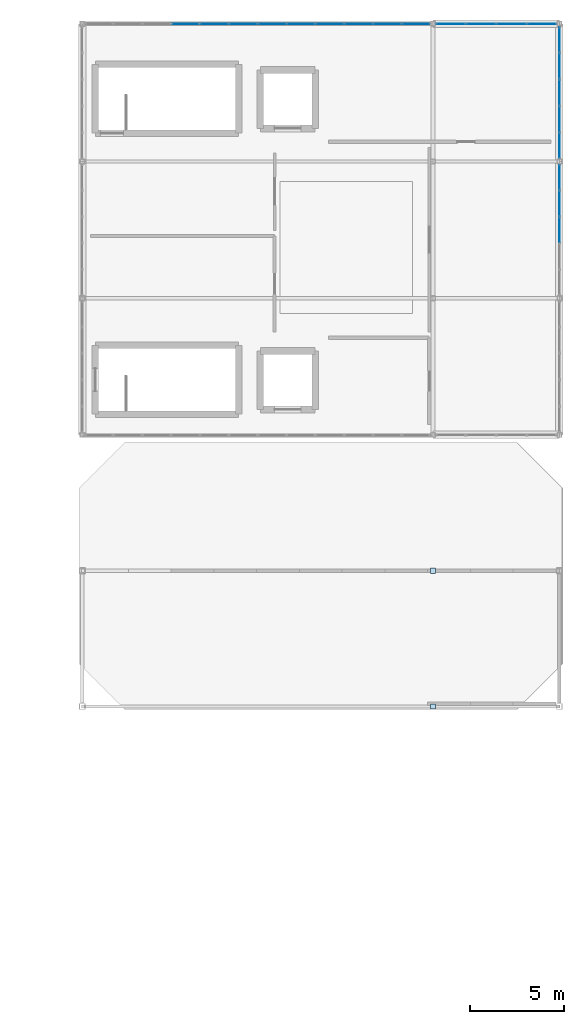
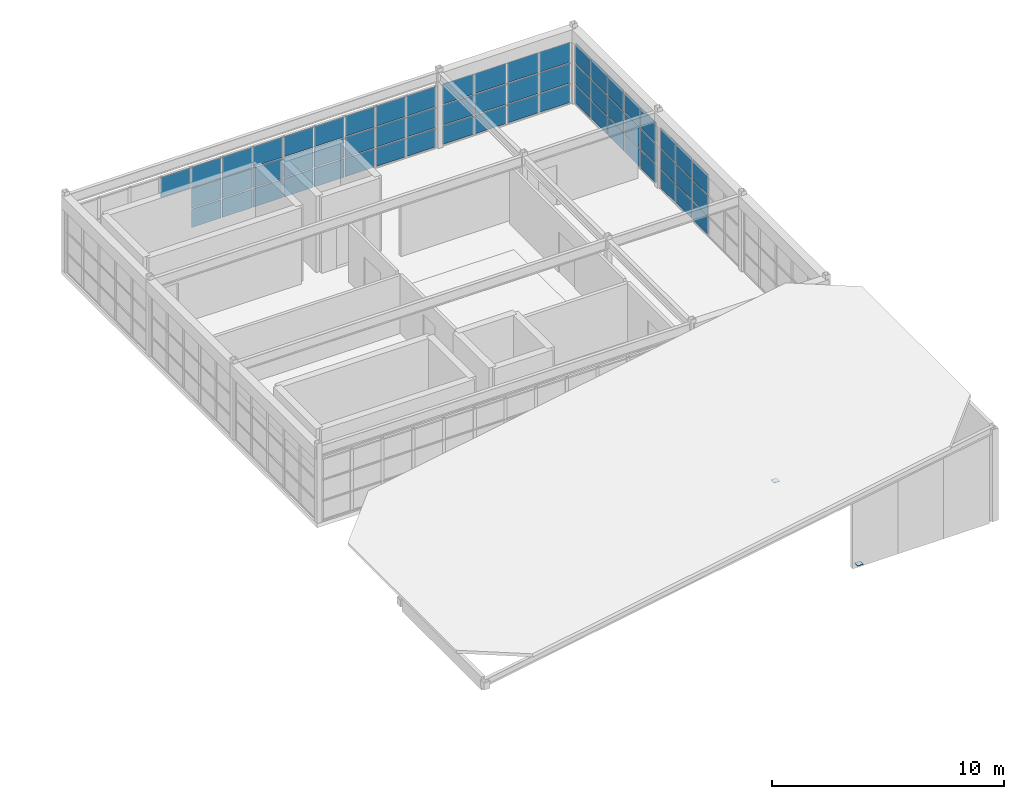
# One storey, part 16 of 19: 63 plates, 4 elements without a shape of their own.
"""IFC4 building model written with IfcOpenShell, lengths in metres."""

from ifc_helpers import new_model, si_unit, direction, frame, origin, origin_2d, place, context, subcontext, project, spatial, rectangle, extrude, material, layer, layer_set, type_object, element, aggregate, save


model = new_model("IFC4")

# Units and contexts
model_context = context("Model", 3, precision=1e-05, world=origin(), true_north=direction((0.0, 1.0)))
body_context = subcontext(model_context, "Body", "Model", "MODEL_VIEW")
ifc_project = project(units=[si_unit("LENGTHUNIT", "METRE"), si_unit("AREAUNIT", "SQUARE_METRE"), si_unit("VOLUMEUNIT", "CUBIC_METRE"), si_unit("PLANEANGLEUNIT", "RADIAN"), si_unit("MASSUNIT", "GRAM", prefix="KILO")], contexts=[model_context])

# Site, building, storey
site_placement = place(None, origin())
site = spatial("IfcSite", under=ifc_project, at=site_placement, CompositionType="ELEMENT")
building_placement = place(site_placement, origin())
building = spatial("IfcBuilding", under=site, at=building_placement, Name="Candilejo Ridge Gondola Terminal", CompositionType="ELEMENT")
storey_placement = place(building_placement, frame((0.0, 0.0, 22.800048828125)))
storey = spatial("IfcBuildingStorey", under=building, at=storey_placement, Name="L05", CompositionType="ELEMENT", Elevation=22.800048828125)

# Curtain wall, plates
ifc_material_1 = material(Name="Anodised aluminium AA 6063-T6", Category="aluminium")
ifc_layer_1 = layer(ifc_material_1, 0.169921875)
ifc_layer_set_1 = layer_set([ifc_layer_1], Name="ARC-CW-TOWER-3000-700X329")
curtain_wall_type_1 = type_object("IfcCurtainWallType", Name="ARC-CW-TOWER-3000-700X329", PredefinedType="NOTDEFINED", material=ifc_layer_set_1)
curtain_wall_1_placement = place(storey_placement, origin())
curtain_wall_1 = element("IfcCurtainWall", 1, at=curtain_wall_1_placement, inside=storey, type_object=curtain_wall_type_1, Name="Curtain wall V5 L05-229", PredefinedType="NOTDEFINED")
ifc_material_2 = material(Name="Low-E laminated double glazing 6+12A+6+1.52PVB+6 mm", Category="glass")
ifc_layer_2 = layer(ifc_material_2, 0.028076171875)
ifc_layer_set_2 = layer_set([ifc_layer_2], Name="ARC-CW-GLAZ-PANEL")
plate_type_1 = type_object("IfcPlateType", Name="ARC-CW-GLAZ-PANEL", PredefinedType="CURTAIN_PANEL", material=ifc_layer_set_2)
plate_1_placement = place(storey_placement, frame((175.300048828125, 109.925048828125, 0.06005859375), z_axis=(0.0, 0.0, 1.0), x_axis=(0.0, 1.0, 0.0)))
plate_1 = element("IfcPlate", 2, at=plate_1_placement, type_object=plate_type_1, Name="CW-70X32 panel 3.1", PredefinedType="CURTAIN_PANEL", context=body_context, shape_type="SweptSolid", body=[
    extrude(rectangle(XDim=1.3349609375, YDim=0.028076171875, at=origin_2d()), origin(), (0.0, 0.0, 1.0), 0.9599609375),
])
plate_2_placement = place(storey_placement, frame((175.300048828125, 109.925048828125, 1.079833984375), z_axis=(0.0, 0.0, 1.0), x_axis=(0.0, 1.0, 0.0)))
plate_2 = element("IfcPlate", 3, at=plate_2_placement, type_object=plate_type_1, Name="CW-70X32 panel 3.2", PredefinedType="CURTAIN_PANEL", context=body_context, shape_type="SweptSolid", body=[
    extrude(rectangle(XDim=1.3349609375, YDim=0.028076171875, at=origin_2d()), origin(), (0.0, 0.0, 1.0), 1.0400390625),
])
plate_3_placement = place(storey_placement, frame((175.300048828125, 109.925048828125, 2.1796875), z_axis=(0.0, 0.0, 1.0), x_axis=(0.0, 1.0, 0.0)))
plate_3 = element("IfcPlate", 4, at=plate_3_placement, type_object=plate_type_1, Name="CW-70X32 panel 3.3", PredefinedType="CURTAIN_PANEL", context=body_context, shape_type="SweptSolid", body=[
    extrude(rectangle(XDim=1.3349609375, YDim=0.028076171875, at=origin_2d()), origin(), (0.0, 0.0, 1.0), 1.050048828125),
])
plate_4_placement = place(storey_placement, frame((175.300048828125, 111.324951171875, 0.06005859375), z_axis=(0.0, 0.0, 1.0), x_axis=(0.0, 1.0, 0.0)))
plate_4 = element("IfcPlate", 5, at=plate_4_placement, type_object=plate_type_1, Name="CW-70X32 panel 4.1", PredefinedType="CURTAIN_PANEL", context=body_context, shape_type="SweptSolid", body=[
    extrude(rectangle(XDim=1.3349609375, YDim=0.028076171875, at=origin_2d()), origin(), (0.0, 0.0, 1.0), 0.9599609375),
])
plate_5_placement = place(storey_placement, frame((175.300048828125, 111.324951171875, 1.079833984375), z_axis=(0.0, 0.0, 1.0), x_axis=(0.0, 1.0, 0.0)))
plate_5 = element("IfcPlate", 6, at=plate_5_placement, type_object=plate_type_1, Name="CW-70X32 panel 4.2", PredefinedType="CURTAIN_PANEL", context=body_context, shape_type="SweptSolid", body=[
    extrude(rectangle(XDim=1.3349609375, YDim=0.028076171875, at=origin_2d()), origin(), (0.0, 0.0, 1.0), 1.0400390625),
])
plate_6_placement = place(storey_placement, frame((175.300048828125, 111.324951171875, 2.1796875), z_axis=(0.0, 0.0, 1.0), x_axis=(0.0, 1.0, 0.0)))
plate_6 = element("IfcPlate", 7, at=plate_6_placement, type_object=plate_type_1, Name="CW-70X32 panel 4.3", PredefinedType="CURTAIN_PANEL", context=body_context, shape_type="SweptSolid", body=[
    extrude(rectangle(XDim=1.3349609375, YDim=0.028076171875, at=origin_2d()), origin(), (0.0, 0.0, 1.0), 1.050048828125),
])
plate_7_placement = place(storey_placement, frame((175.300048828125, 112.708740234375, 0.06005859375), z_axis=(0.0, 0.0, 1.0), x_axis=(0.0, 1.0, 0.0)))
plate_7 = element("IfcPlate", 8, at=plate_7_placement, type_object=plate_type_1, Name="CW-70X32 panel 5.1", PredefinedType="CURTAIN_PANEL", context=body_context, shape_type="SweptSolid", body=[
    extrude(rectangle(XDim=1.302490234375, YDim=0.028076171875, at=origin_2d()), origin(), (0.0, 0.0, 1.0), 0.9599609375),
])
plate_8_placement = place(storey_placement, frame((175.300048828125, 112.708740234375, 1.079833984375), z_axis=(0.0, 0.0, 1.0), x_axis=(0.0, 1.0, 0.0)))
plate_8 = element("IfcPlate", 9, at=plate_8_placement, type_object=plate_type_1, Name="CW-70X32 panel 5.2", PredefinedType="CURTAIN_PANEL", context=body_context, shape_type="SweptSolid", body=[
    extrude(rectangle(XDim=1.302490234375, YDim=0.028076171875, at=origin_2d()), origin(), (0.0, 0.0, 1.0), 1.0400390625),
])
plate_9_placement = place(storey_placement, frame((175.300048828125, 112.708740234375, 2.1796875), z_axis=(0.0, 0.0, 1.0), x_axis=(0.0, 1.0, 0.0)))
plate_9 = element("IfcPlate", 10, at=plate_9_placement, type_object=plate_type_1, Name="CW-70X32 panel 5.3", PredefinedType="CURTAIN_PANEL", context=body_context, shape_type="SweptSolid", body=[
    extrude(rectangle(XDim=1.302490234375, YDim=0.028076171875, at=origin_2d()), origin(), (0.0, 0.0, 1.0), 1.050048828125),
])
aggregate(curtain_wall_1, [plate_1, plate_2, plate_3, plate_4, plate_5, plate_6, plate_7, plate_8, plate_9])

ifc_material_3 = material(Name="Anodised aluminium AA 6063-T6", Category="aluminium")
ifc_layer_3 = layer(ifc_material_3, 0.169921875)
ifc_layer_set_3 = layer_set([ifc_layer_3], Name="ARC-CW-TOWER-3000-705X329")
curtain_wall_type_2 = type_object("IfcCurtainWallType", Name="ARC-CW-TOWER-3000-705X329", PredefinedType="NOTDEFINED", material=ifc_layer_set_3)
curtain_wall_2_placement = place(storey_placement, origin())
curtain_wall_2 = element("IfcCurtainWall", 11, at=curtain_wall_2_placement, inside=storey, type_object=curtain_wall_type_2, Name="Curtain wall V5 L05-231", PredefinedType="NOTDEFINED")
plate_10_placement = place(storey_placement, frame((175.300048828125, 114.396240234375, 0.06005859375), z_axis=(0.0, 0.0, 1.0), x_axis=(0.0, 1.0, 0.0)))
plate_10 = element("IfcPlate", 12, at=plate_10_placement, type_object=plate_type_1, Name="CW-70X32 panel 1.1", PredefinedType="CURTAIN_PANEL", context=body_context, shape_type="SweptSolid", body=[
    extrude(rectangle(XDim=1.3125, YDim=0.028076171875, at=origin_2d()), origin(), (0.0, 0.0, 1.0), 0.9599609375),
])
plate_11_placement = place(storey_placement, frame((175.300048828125, 114.396240234375, 1.079833984375), z_axis=(0.0, 0.0, 1.0), x_axis=(0.0, 1.0, 0.0)))
plate_11 = element("IfcPlate", 13, at=plate_11_placement, type_object=plate_type_1, Name="CW-70X32 panel 1.2", PredefinedType="CURTAIN_PANEL", context=body_context, shape_type="SweptSolid", body=[
    extrude(rectangle(XDim=1.3125, YDim=0.028076171875, at=origin_2d()), origin(), (0.0, 0.0, 1.0), 1.0400390625),
])
plate_12_placement = place(storey_placement, frame((175.300048828125, 114.396240234375, 2.1796875), z_axis=(0.0, 0.0, 1.0), x_axis=(0.0, 1.0, 0.0)))
plate_12 = element("IfcPlate", 14, at=plate_12_placement, type_object=plate_type_1, Name="CW-70X32 panel 1.3", PredefinedType="CURTAIN_PANEL", context=body_context, shape_type="SweptSolid", body=[
    extrude(rectangle(XDim=1.3125, YDim=0.028076171875, at=origin_2d()), origin(), (0.0, 0.0, 1.0), 1.050048828125),
])
plate_13_placement = place(storey_placement, frame((175.300048828125, 115.7900390625, 0.06005859375), z_axis=(0.0, 0.0, 1.0), x_axis=(0.0, 1.0, 0.0)))
plate_13 = element("IfcPlate", 15, at=plate_13_placement, type_object=plate_type_1, Name="CW-70X32 panel 2.1", PredefinedType="CURTAIN_PANEL", context=body_context, shape_type="SweptSolid", body=[
    extrude(rectangle(XDim=1.344970703125, YDim=0.028076171875, at=origin_2d()), origin(), (0.0, 0.0, 1.0), 0.9599609375),
])
plate_14_placement = place(storey_placement, frame((175.300048828125, 115.7900390625, 1.079833984375), z_axis=(0.0, 0.0, 1.0), x_axis=(0.0, 1.0, 0.0)))
plate_14 = element("IfcPlate", 16, at=plate_14_placement, type_object=plate_type_1, Name="CW-70X32 panel 2.2", PredefinedType="CURTAIN_PANEL", context=body_context, shape_type="SweptSolid", body=[
    extrude(rectangle(XDim=1.344970703125, YDim=0.028076171875, at=origin_2d()), origin(), (0.0, 0.0, 1.0), 1.0400390625),
])
plate_15_placement = place(storey_placement, frame((175.300048828125, 115.7900390625, 2.1796875), z_axis=(0.0, 0.0, 1.0), x_axis=(0.0, 1.0, 0.0)))
plate_15 = element("IfcPlate", 17, at=plate_15_placement, type_object=plate_type_1, Name="CW-70X32 panel 2.3", PredefinedType="CURTAIN_PANEL", context=body_context, shape_type="SweptSolid", body=[
    extrude(rectangle(XDim=1.344970703125, YDim=0.028076171875, at=origin_2d()), origin(), (0.0, 0.0, 1.0), 1.050048828125),
])
plate_16_placement = place(storey_placement, frame((175.300048828125, 117.199951171875, 0.06005859375), z_axis=(0.0, 0.0, 1.0), x_axis=(0.0, 1.0, 0.0)))
plate_16 = element("IfcPlate", 18, at=plate_16_placement, type_object=plate_type_1, Name="CW-70X32 panel 3.1", PredefinedType="CURTAIN_PANEL", context=body_context, shape_type="SweptSolid", body=[
    extrude(rectangle(XDim=1.344970703125, YDim=0.028076171875, at=origin_2d()), origin(), (0.0, 0.0, 1.0), 0.9599609375),
])
plate_17_placement = place(storey_placement, frame((175.300048828125, 117.199951171875, 1.079833984375), z_axis=(0.0, 0.0, 1.0), x_axis=(0.0, 1.0, 0.0)))
plate_17 = element("IfcPlate", 19, at=plate_17_placement, type_object=plate_type_1, Name="CW-70X32 panel 3.2", PredefinedType="CURTAIN_PANEL", context=body_context, shape_type="SweptSolid", body=[
    extrude(rectangle(XDim=1.344970703125, YDim=0.028076171875, at=origin_2d()), origin(), (0.0, 0.0, 1.0), 1.0400390625),
])
plate_18_placement = place(storey_placement, frame((175.300048828125, 117.199951171875, 2.1796875), z_axis=(0.0, 0.0, 1.0), x_axis=(0.0, 1.0, 0.0)))
plate_18 = element("IfcPlate", 20, at=plate_18_placement, type_object=plate_type_1, Name="CW-70X32 panel 3.3", PredefinedType="CURTAIN_PANEL", context=body_context, shape_type="SweptSolid", body=[
    extrude(rectangle(XDim=1.344970703125, YDim=0.028076171875, at=origin_2d()), origin(), (0.0, 0.0, 1.0), 1.050048828125),
])
plate_19_placement = place(storey_placement, frame((175.300048828125, 118.610107421875, 0.06005859375), z_axis=(0.0, 0.0, 1.0), x_axis=(0.0, 1.0, 0.0)))
plate_19 = element("IfcPlate", 21, at=plate_19_placement, type_object=plate_type_1, Name="CW-70X32 panel 4.1", PredefinedType="CURTAIN_PANEL", context=body_context, shape_type="SweptSolid", body=[
    extrude(rectangle(XDim=1.344970703125, YDim=0.028076171875, at=origin_2d()), origin(), (0.0, 0.0, 1.0), 0.9599609375),
])
plate_20_placement = place(storey_placement, frame((175.300048828125, 118.610107421875, 1.079833984375), z_axis=(0.0, 0.0, 1.0), x_axis=(0.0, 1.0, 0.0)))
plate_20 = element("IfcPlate", 22, at=plate_20_placement, type_object=plate_type_1, Name="CW-70X32 panel 4.2", PredefinedType="CURTAIN_PANEL", context=body_context, shape_type="SweptSolid", body=[
    extrude(rectangle(XDim=1.344970703125, YDim=0.028076171875, at=origin_2d()), origin(), (0.0, 0.0, 1.0), 1.0400390625),
])
plate_21_placement = place(storey_placement, frame((175.300048828125, 118.610107421875, 2.1796875), z_axis=(0.0, 0.0, 1.0), x_axis=(0.0, 1.0, 0.0)))
plate_21 = element("IfcPlate", 23, at=plate_21_placement, type_object=plate_type_1, Name="CW-70X32 panel 4.3", PredefinedType="CURTAIN_PANEL", context=body_context, shape_type="SweptSolid", body=[
    extrude(rectangle(XDim=1.344970703125, YDim=0.028076171875, at=origin_2d()), origin(), (0.0, 0.0, 1.0), 1.050048828125),
])
plate_22_placement = place(storey_placement, frame((175.300048828125, 120.003662109375, 0.06005859375), z_axis=(0.0, 0.0, 1.0), x_axis=(0.0, 1.0, 0.0)))
plate_22 = element("IfcPlate", 24, at=plate_22_placement, type_object=plate_type_1, Name="CW-70X32 panel 5.1", PredefinedType="CURTAIN_PANEL", context=body_context, shape_type="SweptSolid", body=[
    extrude(rectangle(XDim=1.3125, YDim=0.028076171875, at=origin_2d()), origin(), (0.0, 0.0, 1.0), 0.9599609375),
])
plate_23_placement = place(storey_placement, frame((175.300048828125, 120.003662109375, 1.079833984375), z_axis=(0.0, 0.0, 1.0), x_axis=(0.0, 1.0, 0.0)))
plate_23 = element("IfcPlate", 25, at=plate_23_placement, type_object=plate_type_1, Name="CW-70X32 panel 5.2", PredefinedType="CURTAIN_PANEL", context=body_context, shape_type="SweptSolid", body=[
    extrude(rectangle(XDim=1.3125, YDim=0.028076171875, at=origin_2d()), origin(), (0.0, 0.0, 1.0), 1.0400390625),
])
plate_24_placement = place(storey_placement, frame((175.300048828125, 120.003662109375, 2.1796875), z_axis=(0.0, 0.0, 1.0), x_axis=(0.0, 1.0, 0.0)))
plate_24 = element("IfcPlate", 26, at=plate_24_placement, type_object=plate_type_1, Name="CW-70X32 panel 5.3", PredefinedType="CURTAIN_PANEL", context=body_context, shape_type="SweptSolid", body=[
    extrude(rectangle(XDim=1.3125, YDim=0.028076171875, at=origin_2d()), origin(), (0.0, 0.0, 1.0), 1.050048828125),
])
aggregate(curtain_wall_2, [plate_10, plate_11, plate_12, plate_13, plate_14, plate_15, plate_16, plate_17, plate_18, plate_19, plate_20, plate_21, plate_22, plate_23, plate_24])

ifc_material_4 = material(Name="Anodised aluminium AA 6063-T6", Category="aluminium")
ifc_layer_4 = layer(ifc_material_4, 0.169921875)
ifc_layer_set_4 = layer_set([ifc_layer_4], Name="ARC-CW-TOWER-3000-1835X329")
curtain_wall_type_3 = type_object("IfcCurtainWallType", Name="ARC-CW-TOWER-3000-1835X329", PredefinedType="NOTDEFINED", material=ifc_layer_set_4)
curtain_wall_3_placement = place(storey_placement, origin())
curtain_wall_3 = element("IfcCurtainWall", 27, at=curtain_wall_3_placement, inside=storey, type_object=curtain_wall_type_3, Name="Curtain wall V5 L05-233", PredefinedType="NOTDEFINED")
plate_25_placement = place(storey_placement, frame((155.47705078125, 120.85009765625, 2.1796875), z_axis=(0.0, 0.0, 1.0), x_axis=(1.0, 0.0, 0.0)))
plate_25 = element("IfcPlate", 28, at=plate_25_placement, type_object=plate_type_1, Name="CW-183X32 panel 4.3", PredefinedType="CURTAIN_PANEL", context=body_context, shape_type="SweptSolid", body=[
    extrude(rectangle(XDim=1.464111328125, YDim=0.028076171875, at=origin_2d()), origin(), (0.0, 0.0, 1.0), 1.050048828125),
])
plate_26_placement = place(storey_placement, frame((157.00634765625, 120.85009765625, 0.06005859375), z_axis=(0.0, 0.0, 1.0), x_axis=(1.0, 0.0, 0.0)))
plate_26 = element("IfcPlate", 29, at=plate_26_placement, type_object=plate_type_1, Name="CW-183X32 panel 5.1", PredefinedType="CURTAIN_PANEL", context=body_context, shape_type="SweptSolid", body=[
    extrude(rectangle(XDim=1.464111328125, YDim=0.028076171875, at=origin_2d()), origin(), (0.0, 0.0, 1.0), 0.9599609375),
])
plate_27_placement = place(storey_placement, frame((157.00634765625, 120.85009765625, 1.079833984375), z_axis=(0.0, 0.0, 1.0), x_axis=(1.0, 0.0, 0.0)))
plate_27 = element("IfcPlate", 30, at=plate_27_placement, type_object=plate_type_1, Name="CW-183X32 panel 5.2", PredefinedType="CURTAIN_PANEL", context=body_context, shape_type="SweptSolid", body=[
    extrude(rectangle(XDim=1.464111328125, YDim=0.028076171875, at=origin_2d()), origin(), (0.0, 0.0, 1.0), 1.0400390625),
])
plate_28_placement = place(storey_placement, frame((157.00634765625, 120.85009765625, 2.1796875), z_axis=(0.0, 0.0, 1.0), x_axis=(1.0, 0.0, 0.0)))
plate_28 = element("IfcPlate", 31, at=plate_28_placement, type_object=plate_type_1, Name="CW-183X32 panel 5.3", PredefinedType="CURTAIN_PANEL", context=body_context, shape_type="SweptSolid", body=[
    extrude(rectangle(XDim=1.464111328125, YDim=0.028076171875, at=origin_2d()), origin(), (0.0, 0.0, 1.0), 1.050048828125),
])
plate_29_placement = place(storey_placement, frame((158.535400390625, 120.85009765625, 0.06005859375), z_axis=(0.0, 0.0, 1.0), x_axis=(1.0, 0.0, 0.0)))
plate_29 = element("IfcPlate", 32, at=plate_29_placement, type_object=plate_type_1, Name="CW-183X32 panel 6.1", PredefinedType="CURTAIN_PANEL", context=body_context, shape_type="SweptSolid", body=[
    extrude(rectangle(XDim=1.464111328125, YDim=0.028076171875, at=origin_2d()), origin(), (0.0, 0.0, 1.0), 0.9599609375),
])
plate_30_placement = place(storey_placement, frame((158.535400390625, 120.85009765625, 1.079833984375), z_axis=(0.0, 0.0, 1.0), x_axis=(1.0, 0.0, 0.0)))
plate_30 = element("IfcPlate", 33, at=plate_30_placement, type_object=plate_type_1, Name="CW-183X32 panel 6.2", PredefinedType="CURTAIN_PANEL", context=body_context, shape_type="SweptSolid", body=[
    extrude(rectangle(XDim=1.464111328125, YDim=0.028076171875, at=origin_2d()), origin(), (0.0, 0.0, 1.0), 1.0400390625),
])
plate_31_placement = place(storey_placement, frame((158.535400390625, 120.85009765625, 2.1796875), z_axis=(0.0, 0.0, 1.0), x_axis=(1.0, 0.0, 0.0)))
plate_31 = element("IfcPlate", 34, at=plate_31_placement, type_object=plate_type_1, Name="CW-183X32 panel 6.3", PredefinedType="CURTAIN_PANEL", context=body_context, shape_type="SweptSolid", body=[
    extrude(rectangle(XDim=1.464111328125, YDim=0.028076171875, at=origin_2d()), origin(), (0.0, 0.0, 1.0), 1.050048828125),
])
plate_32_placement = place(storey_placement, frame((160.064697265625, 120.85009765625, 0.06005859375), z_axis=(0.0, 0.0, 1.0), x_axis=(1.0, 0.0, 0.0)))
plate_32 = element("IfcPlate", 35, at=plate_32_placement, type_object=plate_type_1, Name="CW-183X32 panel 7.1", PredefinedType="CURTAIN_PANEL", context=body_context, shape_type="SweptSolid", body=[
    extrude(rectangle(XDim=1.464111328125, YDim=0.028076171875, at=origin_2d()), origin(), (0.0, 0.0, 1.0), 0.9599609375),
])
plate_33_placement = place(storey_placement, frame((160.064697265625, 120.85009765625, 1.079833984375), z_axis=(0.0, 0.0, 1.0), x_axis=(1.0, 0.0, 0.0)))
plate_33 = element("IfcPlate", 36, at=plate_33_placement, type_object=plate_type_1, Name="CW-183X32 panel 7.2", PredefinedType="CURTAIN_PANEL", context=body_context, shape_type="SweptSolid", body=[
    extrude(rectangle(XDim=1.464111328125, YDim=0.028076171875, at=origin_2d()), origin(), (0.0, 0.0, 1.0), 1.0400390625),
])
plate_34_placement = place(storey_placement, frame((160.064697265625, 120.85009765625, 2.1796875), z_axis=(0.0, 0.0, 1.0), x_axis=(1.0, 0.0, 0.0)))
plate_34 = element("IfcPlate", 37, at=plate_34_placement, type_object=plate_type_1, Name="CW-183X32 panel 7.3", PredefinedType="CURTAIN_PANEL", context=body_context, shape_type="SweptSolid", body=[
    extrude(rectangle(XDim=1.464111328125, YDim=0.028076171875, at=origin_2d()), origin(), (0.0, 0.0, 1.0), 1.050048828125),
])
plate_35_placement = place(storey_placement, frame((161.59375, 120.85009765625, 0.06005859375), z_axis=(0.0, 0.0, 1.0), x_axis=(1.0, 0.0, 0.0)))
plate_35 = element("IfcPlate", 38, at=plate_35_placement, type_object=plate_type_1, Name="CW-183X32 panel 8.1", PredefinedType="CURTAIN_PANEL", context=body_context, shape_type="SweptSolid", body=[
    extrude(rectangle(XDim=1.464111328125, YDim=0.028076171875, at=origin_2d()), origin(), (0.0, 0.0, 1.0), 0.9599609375),
])
plate_36_placement = place(storey_placement, frame((161.59375, 120.85009765625, 1.079833984375), z_axis=(0.0, 0.0, 1.0), x_axis=(1.0, 0.0, 0.0)))
plate_36 = element("IfcPlate", 39, at=plate_36_placement, type_object=plate_type_1, Name="CW-183X32 panel 8.2", PredefinedType="CURTAIN_PANEL", context=body_context, shape_type="SweptSolid", body=[
    extrude(rectangle(XDim=1.464111328125, YDim=0.028076171875, at=origin_2d()), origin(), (0.0, 0.0, 1.0), 1.0400390625),
])
plate_37_placement = place(storey_placement, frame((161.59375, 120.85009765625, 2.1796875), z_axis=(0.0, 0.0, 1.0), x_axis=(1.0, 0.0, 0.0)))
plate_37 = element("IfcPlate", 40, at=plate_37_placement, type_object=plate_type_1, Name="CW-183X32 panel 8.3", PredefinedType="CURTAIN_PANEL", context=body_context, shape_type="SweptSolid", body=[
    extrude(rectangle(XDim=1.464111328125, YDim=0.028076171875, at=origin_2d()), origin(), (0.0, 0.0, 1.0), 1.050048828125),
])
plate_38_placement = place(storey_placement, frame((163.122802734375, 120.85009765625, 0.06005859375), z_axis=(0.0, 0.0, 1.0), x_axis=(1.0, 0.0, 0.0)))
plate_38 = element("IfcPlate", 41, at=plate_38_placement, type_object=plate_type_1, Name="CW-183X32 panel 9.1", PredefinedType="CURTAIN_PANEL", context=body_context, shape_type="SweptSolid", body=[
    extrude(rectangle(XDim=1.464111328125, YDim=0.028076171875, at=origin_2d()), origin(), (0.0, 0.0, 1.0), 0.9599609375),
])
plate_39_placement = place(storey_placement, frame((163.122802734375, 120.85009765625, 1.079833984375), z_axis=(0.0, 0.0, 1.0), x_axis=(1.0, 0.0, 0.0)))
plate_39 = element("IfcPlate", 42, at=plate_39_placement, type_object=plate_type_1, Name="CW-183X32 panel 9.2", PredefinedType="CURTAIN_PANEL", context=body_context, shape_type="SweptSolid", body=[
    extrude(rectangle(XDim=1.464111328125, YDim=0.028076171875, at=origin_2d()), origin(), (0.0, 0.0, 1.0), 1.0400390625),
])
plate_40_placement = place(storey_placement, frame((163.122802734375, 120.85009765625, 2.1796875), z_axis=(0.0, 0.0, 1.0), x_axis=(1.0, 0.0, 0.0)))
plate_40 = element("IfcPlate", 43, at=plate_40_placement, type_object=plate_type_1, Name="CW-183X32 panel 9.3", PredefinedType="CURTAIN_PANEL", context=body_context, shape_type="SweptSolid", body=[
    extrude(rectangle(XDim=1.464111328125, YDim=0.028076171875, at=origin_2d()), origin(), (0.0, 0.0, 1.0), 1.050048828125),
])
plate_41_placement = place(storey_placement, frame((164.652099609375, 120.85009765625, 0.06005859375), z_axis=(0.0, 0.0, 1.0), x_axis=(1.0, 0.0, 0.0)))
plate_41 = element("IfcPlate", 44, at=plate_41_placement, type_object=plate_type_1, Name="CW-183X32 panel 10.1", PredefinedType="CURTAIN_PANEL", context=body_context, shape_type="SweptSolid", body=[
    extrude(rectangle(XDim=1.464111328125, YDim=0.028076171875, at=origin_2d()), origin(), (0.0, 0.0, 1.0), 0.9599609375),
])
plate_42_placement = place(storey_placement, frame((164.652099609375, 120.85009765625, 1.079833984375), z_axis=(0.0, 0.0, 1.0), x_axis=(1.0, 0.0, 0.0)))
plate_42 = element("IfcPlate", 45, at=plate_42_placement, type_object=plate_type_1, Name="CW-183X32 panel 10.2", PredefinedType="CURTAIN_PANEL", context=body_context, shape_type="SweptSolid", body=[
    extrude(rectangle(XDim=1.464111328125, YDim=0.028076171875, at=origin_2d()), origin(), (0.0, 0.0, 1.0), 1.0400390625),
])
plate_43_placement = place(storey_placement, frame((164.652099609375, 120.85009765625, 2.1796875), z_axis=(0.0, 0.0, 1.0), x_axis=(1.0, 0.0, 0.0)))
plate_43 = element("IfcPlate", 46, at=plate_43_placement, type_object=plate_type_1, Name="CW-183X32 panel 10.3", PredefinedType="CURTAIN_PANEL", context=body_context, shape_type="SweptSolid", body=[
    extrude(rectangle(XDim=1.464111328125, YDim=0.028076171875, at=origin_2d()), origin(), (0.0, 0.0, 1.0), 1.050048828125),
])
plate_44_placement = place(storey_placement, frame((166.18115234375, 120.85009765625, 0.06005859375), z_axis=(0.0, 0.0, 1.0), x_axis=(1.0, 0.0, 0.0)))
plate_44 = element("IfcPlate", 47, at=plate_44_placement, type_object=plate_type_1, Name="CW-183X32 panel 11.1", PredefinedType="CURTAIN_PANEL", context=body_context, shape_type="SweptSolid", body=[
    extrude(rectangle(XDim=1.464111328125, YDim=0.028076171875, at=origin_2d()), origin(), (0.0, 0.0, 1.0), 0.9599609375),
])
plate_45_placement = place(storey_placement, frame((166.18115234375, 120.85009765625, 1.079833984375), z_axis=(0.0, 0.0, 1.0), x_axis=(1.0, 0.0, 0.0)))
plate_45 = element("IfcPlate", 48, at=plate_45_placement, type_object=plate_type_1, Name="CW-183X32 panel 11.2", PredefinedType="CURTAIN_PANEL", context=body_context, shape_type="SweptSolid", body=[
    extrude(rectangle(XDim=1.464111328125, YDim=0.028076171875, at=origin_2d()), origin(), (0.0, 0.0, 1.0), 1.0400390625),
])
plate_46_placement = place(storey_placement, frame((166.18115234375, 120.85009765625, 2.1796875), z_axis=(0.0, 0.0, 1.0), x_axis=(1.0, 0.0, 0.0)))
plate_46 = element("IfcPlate", 49, at=plate_46_placement, type_object=plate_type_1, Name="CW-183X32 panel 11.3", PredefinedType="CURTAIN_PANEL", context=body_context, shape_type="SweptSolid", body=[
    extrude(rectangle(XDim=1.464111328125, YDim=0.028076171875, at=origin_2d()), origin(), (0.0, 0.0, 1.0), 1.050048828125),
])
plate_47_placement = place(storey_placement, frame((167.694091796875, 120.85009765625, 0.06005859375), z_axis=(0.0, 0.0, 1.0), x_axis=(1.0, 0.0, 0.0)))
plate_47 = element("IfcPlate", 50, at=plate_47_placement, type_object=plate_type_1, Name="CW-183X32 panel 12.1", PredefinedType="CURTAIN_PANEL", context=body_context, shape_type="SweptSolid", body=[
    extrude(rectangle(XDim=1.431640625, YDim=0.028076171875, at=origin_2d()), origin(), (0.0, 0.0, 1.0), 0.9599609375),
])
plate_48_placement = place(storey_placement, frame((167.694091796875, 120.85009765625, 1.079833984375), z_axis=(0.0, 0.0, 1.0), x_axis=(1.0, 0.0, 0.0)))
plate_48 = element("IfcPlate", 51, at=plate_48_placement, type_object=plate_type_1, Name="CW-183X32 panel 12.2", PredefinedType="CURTAIN_PANEL", context=body_context, shape_type="SweptSolid", body=[
    extrude(rectangle(XDim=1.431640625, YDim=0.028076171875, at=origin_2d()), origin(), (0.0, 0.0, 1.0), 1.0400390625),
])
plate_49_placement = place(storey_placement, frame((167.694091796875, 120.85009765625, 2.1796875), z_axis=(0.0, 0.0, 1.0), x_axis=(1.0, 0.0, 0.0)))
plate_49 = element("IfcPlate", 52, at=plate_49_placement, type_object=plate_type_1, Name="CW-183X32 panel 12.3", PredefinedType="CURTAIN_PANEL", context=body_context, shape_type="SweptSolid", body=[
    extrude(rectangle(XDim=1.431640625, YDim=0.028076171875, at=origin_2d()), origin(), (0.0, 0.0, 1.0), 1.050048828125),
])
aggregate(curtain_wall_3, [plate_25, plate_26, plate_27, plate_28, plate_29, plate_30, plate_31, plate_32, plate_33, plate_34, plate_35, plate_36, plate_37, plate_38, plate_39, plate_40, plate_41, plate_42, plate_43, plate_44, plate_45, plate_46, plate_47, plate_48, plate_49])

ifc_material_5 = material(Name="Anodised aluminium AA 6063-T6", Category="aluminium")
ifc_layer_5 = layer(ifc_material_5, 0.169921875)
ifc_layer_set_5 = layer_set([ifc_layer_5], Name="ARC-CW-TOWER-3000-645X329")
curtain_wall_type_4 = type_object("IfcCurtainWallType", Name="ARC-CW-TOWER-3000-645X329", PredefinedType="NOTDEFINED", material=ifc_layer_set_5)
curtain_wall_4_placement = place(storey_placement, origin())
curtain_wall_4 = element("IfcCurtainWall", 53, at=curtain_wall_4_placement, inside=storey, type_object=curtain_wall_type_4, Name="Curtain wall V5 L05-235", PredefinedType="NOTDEFINED")
plate_50_placement = place(storey_placement, frame((169.547607421875, 120.85009765625, 0.06005859375), z_axis=(0.0, 0.0, 1.0), x_axis=(1.0, 0.0, 0.0)))
plate_50 = element("IfcPlate", 54, at=plate_50_placement, type_object=plate_type_1, Name="CW-64X32 panel 1.1", PredefinedType="CURTAIN_PANEL", context=body_context, shape_type="SweptSolid", body=[
    extrude(rectangle(XDim=1.514892578125, YDim=0.028076171875, at=origin_2d()), origin(), (0.0, 0.0, 1.0), 0.9599609375),
])
plate_51_placement = place(storey_placement, frame((169.547607421875, 120.85009765625, 1.079833984375), z_axis=(0.0, 0.0, 1.0), x_axis=(1.0, 0.0, 0.0)))
plate_51 = element("IfcPlate", 55, at=plate_51_placement, type_object=plate_type_1, Name="CW-64X32 panel 1.2", PredefinedType="CURTAIN_PANEL", context=body_context, shape_type="SweptSolid", body=[
    extrude(rectangle(XDim=1.514892578125, YDim=0.028076171875, at=origin_2d()), origin(), (0.0, 0.0, 1.0), 1.0400390625),
])
plate_52_placement = place(storey_placement, frame((169.547607421875, 120.85009765625, 2.1796875), z_axis=(0.0, 0.0, 1.0), x_axis=(1.0, 0.0, 0.0)))
plate_52 = element("IfcPlate", 56, at=plate_52_placement, type_object=plate_type_1, Name="CW-64X32 panel 1.3", PredefinedType="CURTAIN_PANEL", context=body_context, shape_type="SweptSolid", body=[
    extrude(rectangle(XDim=1.514892578125, YDim=0.028076171875, at=origin_2d()), origin(), (0.0, 0.0, 1.0), 1.050048828125),
])
plate_53_placement = place(storey_placement, frame((171.143798828125, 120.85009765625, 0.06005859375), z_axis=(0.0, 0.0, 1.0), x_axis=(1.0, 0.0, 0.0)))
plate_53 = element("IfcPlate", 57, at=plate_53_placement, type_object=plate_type_1, Name="CW-64X32 panel 2.1", PredefinedType="CURTAIN_PANEL", context=body_context, shape_type="SweptSolid", body=[
    extrude(rectangle(XDim=1.547607421875, YDim=0.028076171875, at=origin_2d()), origin(), (0.0, 0.0, 1.0), 0.9599609375),
])
plate_54_placement = place(storey_placement, frame((171.143798828125, 120.85009765625, 1.079833984375), z_axis=(0.0, 0.0, 1.0), x_axis=(1.0, 0.0, 0.0)))
plate_54 = element("IfcPlate", 58, at=plate_54_placement, type_object=plate_type_1, Name="CW-64X32 panel 2.2", PredefinedType="CURTAIN_PANEL", context=body_context, shape_type="SweptSolid", body=[
    extrude(rectangle(XDim=1.547607421875, YDim=0.028076171875, at=origin_2d()), origin(), (0.0, 0.0, 1.0), 1.0400390625),
])
plate_55_placement = place(storey_placement, frame((171.143798828125, 120.85009765625, 2.1796875), z_axis=(0.0, 0.0, 1.0), x_axis=(1.0, 0.0, 0.0)))
plate_55 = element("IfcPlate", 59, at=plate_55_placement, type_object=plate_type_1, Name="CW-64X32 panel 2.3", PredefinedType="CURTAIN_PANEL", context=body_context, shape_type="SweptSolid", body=[
    extrude(rectangle(XDim=1.547607421875, YDim=0.028076171875, at=origin_2d()), origin(), (0.0, 0.0, 1.0), 1.050048828125),
])
plate_56_placement = place(storey_placement, frame((172.75634765625, 120.85009765625, 0.06005859375), z_axis=(0.0, 0.0, 1.0), x_axis=(1.0, 0.0, 0.0)))
plate_56 = element("IfcPlate", 60, at=plate_56_placement, type_object=plate_type_1, Name="CW-64X32 panel 3.1", PredefinedType="CURTAIN_PANEL", context=body_context, shape_type="SweptSolid", body=[
    extrude(rectangle(XDim=1.547607421875, YDim=0.028076171875, at=origin_2d()), origin(), (0.0, 0.0, 1.0), 0.9599609375),
])
plate_57_placement = place(storey_placement, frame((172.75634765625, 120.85009765625, 1.079833984375), z_axis=(0.0, 0.0, 1.0), x_axis=(1.0, 0.0, 0.0)))
plate_57 = element("IfcPlate", 61, at=plate_57_placement, type_object=plate_type_1, Name="CW-64X32 panel 3.2", PredefinedType="CURTAIN_PANEL", context=body_context, shape_type="SweptSolid", body=[
    extrude(rectangle(XDim=1.547607421875, YDim=0.028076171875, at=origin_2d()), origin(), (0.0, 0.0, 1.0), 1.0400390625),
])
plate_58_placement = place(storey_placement, frame((172.75634765625, 120.85009765625, 2.1796875), z_axis=(0.0, 0.0, 1.0), x_axis=(1.0, 0.0, 0.0)))
plate_58 = element("IfcPlate", 62, at=plate_58_placement, type_object=plate_type_1, Name="CW-64X32 panel 3.3", PredefinedType="CURTAIN_PANEL", context=body_context, shape_type="SweptSolid", body=[
    extrude(rectangle(XDim=1.547607421875, YDim=0.028076171875, at=origin_2d()), origin(), (0.0, 0.0, 1.0), 1.050048828125),
])
plate_59_placement = place(storey_placement, frame((174.3525390625, 120.85009765625, 0.06005859375), z_axis=(0.0, 0.0, 1.0), x_axis=(1.0, 0.0, 0.0)))
plate_59 = element("IfcPlate", 63, at=plate_59_placement, type_object=plate_type_1, Name="CW-64X32 panel 4.1", PredefinedType="CURTAIN_PANEL", context=body_context, shape_type="SweptSolid", body=[
    extrude(rectangle(XDim=1.514892578125, YDim=0.028076171875, at=origin_2d()), origin(), (0.0, 0.0, 1.0), 0.9599609375),
])
plate_60_placement = place(storey_placement, frame((174.3525390625, 120.85009765625, 1.079833984375), z_axis=(0.0, 0.0, 1.0), x_axis=(1.0, 0.0, 0.0)))
plate_60 = element("IfcPlate", 64, at=plate_60_placement, type_object=plate_type_1, Name="CW-64X32 panel 4.2", PredefinedType="CURTAIN_PANEL", context=body_context, shape_type="SweptSolid", body=[
    extrude(rectangle(XDim=1.514892578125, YDim=0.028076171875, at=origin_2d()), origin(), (0.0, 0.0, 1.0), 1.0400390625),
])
plate_61_placement = place(storey_placement, frame((174.3525390625, 120.85009765625, 2.1796875), z_axis=(0.0, 0.0, 1.0), x_axis=(1.0, 0.0, 0.0)))
plate_61 = element("IfcPlate", 65, at=plate_61_placement, type_object=plate_type_1, Name="CW-64X32 panel 4.3", PredefinedType="CURTAIN_PANEL", context=body_context, shape_type="SweptSolid", body=[
    extrude(rectangle(XDim=1.514892578125, YDim=0.028076171875, at=origin_2d()), origin(), (0.0, 0.0, 1.0), 1.050048828125),
])
aggregate(curtain_wall_4, [plate_50, plate_51, plate_52, plate_53, plate_54, plate_55, plate_56, plate_57, plate_58, plate_59, plate_60, plate_61])

# Plates
ifc_material_6 = material(Name="Steel ASTM A572 Grade 50", Category="steel")
ifc_layer_6 = layer(ifc_material_6, 0.02001953125)
ifc_layer_set_6 = layer_set([ifc_layer_6], Name="STR-COL-CAP-280X280X20")
plate_type_2 = type_object("IfcPlateType", Name="STR-COL-CAP-280X280X20", PredefinedType="USERDEFINED", material=ifc_layer_set_6)
for number, where, z_axis, x_axis, name in (
    (66, (168.60009765625, 84.64990234375, 0.0), (0.0, 0.0, 1.0), (1.0, 0.0, 0.0), "Hollow column top end-cap plate 258"),
    (67, (168.60009765625, 91.85009765625, 0.0), (0.0, 0.0, 1.0), (1.0, 0.0, 0.0), "Hollow column top end-cap plate 259"),
):
    element("IfcPlate", number, at=place(storey_placement, frame(where, z_axis=z_axis, x_axis=x_axis)), inside=storey, type_object=plate_type_2, Name=name, ObjectType="NODE PLATE", PredefinedType="USERDEFINED", context=body_context, shape_type="SweptSolid", body=[
        extrude(rectangle(XDim=0.280029296875, YDim=0.280029296875, at=origin_2d()), origin(), (0.0, 0.0, 1.0), 0.02001953125),
    ])

save(model, "model.ifc")
